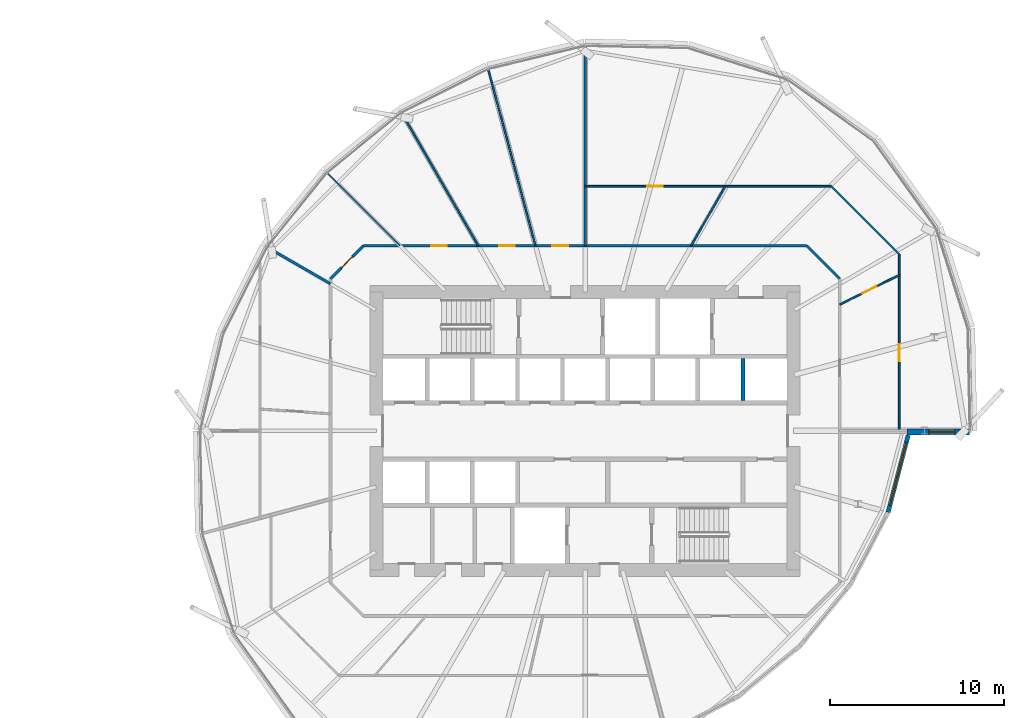
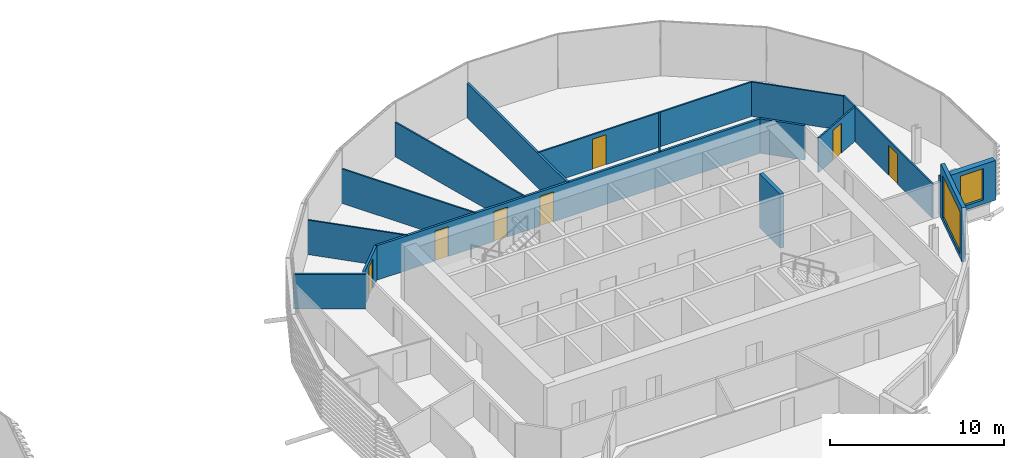
# One storey, part 25 of 39: 16 walls, 7 doors, 2 windows, 9 openings.
"""IFC4 building model written with IfcOpenShell, lengths in metres."""

from ifc_helpers import new_model, si_unit, direction, frame, frame_2d, origin, place, context, subcontext, project, spatial, rectangle, extrude, material, layer, layer_set, type_object, element, fill, save


model = new_model("IFC4")

# Units and contexts
model_context = context("Model", 3, precision=1e-05, world=origin(), true_north=direction((0.0, 1.0)))
body_context = subcontext(model_context, "Body", "Model", "MODEL_VIEW")
ifc_project = project(units=[si_unit("LENGTHUNIT", "METRE"), si_unit("AREAUNIT", "SQUARE_METRE"), si_unit("VOLUMEUNIT", "CUBIC_METRE"), si_unit("PLANEANGLEUNIT", "RADIAN"), si_unit("MASSUNIT", "GRAM", prefix="KILO")], contexts=[model_context])

# Site, building, storey
site_placement = place(None, origin())
site = spatial("IfcSite", under=ifc_project, at=site_placement, CompositionType="ELEMENT")
building_placement = place(site_placement, origin())
building = spatial("IfcBuilding", under=site, at=building_placement, Name="Rimbun Link Towers", CompositionType="ELEMENT")
storey_placement = place(building_placement, frame((0.0, 0.0, 100.60009765625)))
storey = spatial("IfcBuildingStorey", under=building, at=storey_placement, Name="L24", CompositionType="ELEMENT", Elevation=100.60009765625)

# Wall, opening, window
ifc_material_1 = material(Name="Dark enamelled glass spandrel on insulated aluminium backpan", Category="aluminium")
ifc_layer_1 = layer(ifc_material_1, 0.25)
ifc_layer_set_1 = layer_set([ifc_layer_1], Name="CS dark enamelled spandrel wall 250")
wall_type_1 = type_object("IfcWallType", Name="CS dark enamelled spandrel wall 250", PredefinedType="STANDARD", material=ifc_layer_set_1)
wall_1_placement = place(storey_placement, frame((50.343017578125, -0.25, 0.0), z_axis=(0.0, 0.0, 1.0), x_axis=(-0.252335175564, -0.967639891268, 0.0)))
wall_1 = element("IfcWall", 1, at=wall_1_placement, inside=storey, type_object=wall_type_1, Name="Crease spandrel wall", PredefinedType="STANDARD", context=body_context, shape_type="SweptSolid", body=[
    extrude(rectangle(XDim=4.584228515625, YDim=0.25, at=frame_2d((2.2919921875, 0.0))), origin(), (0.0, 0.0, 1.0), 3.7998046875),
])
opening_1_placement = place(wall_1_placement, frame((0.4169921875, 0.0, 0.300048828125)))
opening_1 = element("IfcOpeningElement", 2, at=opening_1_placement, cuts=wall_1, Name="Opening WR38H295", PredefinedType="OPENING", context=body_context, shape_type="SweptSolid", body=[
    extrude(rectangle(XDim=3.75, YDim=2.949951171875, at=frame_2d((1.875, 1.47509765625))), frame((0.0, 0.135009765625, 0.0), z_axis=(0.0, -1.0, 0.0), x_axis=(1.0, 0.0, 0.0)), (0.0, 0.0, 1.0), 0.27001953125),
])
ifc_material_2 = material(Name="Aluminium framed fixed window, dark tinted low-e glass", Category="aluminium")
window_type_1 = type_object("IfcWindowType", Name="WR ribbon window 3750X2950", PartitioningType="SINGLE_PANEL", PredefinedType="WINDOW", material=ifc_material_2)
window_1_placement = place(opening_1_placement, origin())
window_1 = element("IfcWindow", 3, at=window_1_placement, inside=storey, type_object=window_type_1, Name="Crease ribbon window", OverallHeight=2.949951171875, OverallWidth=3.75, PartitioningType="SINGLE_PANEL", PredefinedType="WINDOW", context=body_context, shape_type="SweptSolid", body=[
    extrude(rectangle(XDim=3.75, YDim=2.949951171875, at=frame_2d((1.875, 1.47509765625))), frame((0.0, 0.030029296875, 0.0), z_axis=(0.0, -1.0, 0.0), x_axis=(1.0, 0.0, 0.0)), (0.0, 0.0, 1.0), 0.06005859375),
])
fill(opening_1, window_1)

ifc_material_3 = material(Name="Dark enamelled glass spandrel on insulated aluminium backpan", Category="aluminium")
ifc_layer_2 = layer(ifc_material_3, 0.3701171875)
ifc_layer_set_2 = layer_set([ifc_layer_2], Name="CS dark enamelled spandrel wall 370")
wall_type_2 = type_object("IfcWallType", Name="CS dark enamelled spandrel wall 370", PredefinedType="STANDARD", material=ifc_layer_set_2)
wall_2_placement = place(storey_placement, frame((53.85888671875, -0.06494140625, 0.0), z_axis=(0.0, 0.0, 1.0), x_axis=(-1.0, 0.0, 0.0)))
wall_2 = element("IfcWall", 4, at=wall_2_placement, inside=storey, type_object=wall_type_2, Name="Crease spandrel wall", PredefinedType="STANDARD", context=body_context, shape_type="SweptSolid", body=[
    extrude(rectangle(XDim=3.579833984375, YDim=0.3701171875, at=frame_2d((1.7900390625, 0.0))), origin(), (0.0, 0.0, 1.0), 2.789306640625),
])
opening_2_placement = place(wall_2_placement, frame((0.827392578125, 0.0, 0.300048828125)))
opening_2 = element("IfcOpeningElement", 5, at=opening_2_placement, cuts=wall_2, Name="Opening WR15H220", PredefinedType="OPENING", context=body_context, shape_type="SweptSolid", body=[
    extrude(rectangle(XDim=1.5, YDim=2.199951171875, at=frame_2d((0.75, 1.10009765625))), frame((0.0, 0.195068359375, 0.0), z_axis=(0.0, -1.0, 0.0), x_axis=(1.0, 0.0, 0.0)), (0.0, 0.0, 1.0), 0.39013671875),
])
ifc_material_4 = material(Name="Aluminium framed fixed window, dark tinted low-e glass", Category="aluminium")
window_type_2 = type_object("IfcWindowType", Name="WR ribbon window 1500X2200", PartitioningType="SINGLE_PANEL", PredefinedType="WINDOW", material=ifc_material_4)
window_2_placement = place(opening_2_placement, origin())
window_2 = element("IfcWindow", 6, at=window_2_placement, inside=storey, type_object=window_type_2, Name="Crease ribbon window", OverallHeight=2.199951171875, OverallWidth=1.5, PartitioningType="SINGLE_PANEL", PredefinedType="WINDOW", context=body_context, shape_type="SweptSolid", body=[
    extrude(rectangle(XDim=1.5, YDim=2.199951171875, at=frame_2d((0.75, 1.10009765625))), frame((0.0, 0.030029296875, 0.0), z_axis=(0.0, -1.0, 0.0), x_axis=(1.0, 0.0, 0.0)), (0.0, 0.0, 1.0), 0.06005859375),
])
fill(opening_2, window_2)

# Wall, openings, doors
ifc_material_5 = material(Name="Plasterboard on steel stud, mineral wool", Category="steel")
ifc_layer_3 = layer(ifc_material_5, 0.14990234375)
ifc_layer_set_3 = layer_set([ifc_layer_3], Name="Corridor wall EI 30 150 mm")
wall_type_3 = type_object("IfcWallType", Name="Corridor wall EI 30 150 mm", PredefinedType="PARTITIONING", material=ifc_layer_set_3)
wall_3_placement = place(storey_placement, frame((18.998291015625, 10.64990234375, 0.0), z_axis=(0.0, 0.0, 1.0), x_axis=(1.0, 0.0, 0.0)))
wall_3 = element("IfcWall", 7, at=wall_3_placement, inside=storey, type_object=wall_type_3, Name="Corridor wall EI 30 150 mm", PredefinedType="PARTITIONING", context=body_context, shape_type="SweptSolid", body=[
    extrude(rectangle(XDim=25.50341796875, YDim=0.14990234375, at=frame_2d((12.751708984375, 0.0))), origin(), (0.0, 0.0, 1.0), 2.419921875),
])
opening_3_placement = place(wall_3_placement, frame((10.875, 0.0, 0.0)))
opening_3 = element("IfcOpeningElement", 8, at=opening_3_placement, cuts=wall_3, Name="Opening D02", PredefinedType="OPENING", context=body_context, shape_type="SweptSolid", body=[
    extrude(rectangle(XDim=0.89990234375, YDim=2.10009765625, at=frame_2d((0.449951171875, 1.050048828125))), frame((0.0, 0.0849609375, 0.0), z_axis=(0.0, -1.0, 0.0), x_axis=(1.0, 0.0, 0.0)), (0.0, 0.0, 1.0), 0.169921875),
])
opening_4_placement = place(wall_3_placement, frame((7.800537109375, 0.0, 0.0)))
opening_4 = element("IfcOpeningElement", 9, at=opening_4_placement, cuts=wall_3, Name="Opening D02", PredefinedType="OPENING", context=body_context, shape_type="SweptSolid", body=[
    extrude(rectangle(XDim=0.89990234375, YDim=2.10009765625, at=frame_2d((0.449951171875, 1.050048828125))), frame((0.0, 0.0849609375, 0.0), z_axis=(0.0, -1.0, 0.0), x_axis=(1.0, 0.0, 0.0)), (0.0, 0.0, 1.0), 0.169921875),
])
opening_5_placement = place(wall_3_placement, frame((3.90234375, 0.0, 0.0)))
opening_5 = element("IfcOpeningElement", 10, at=opening_5_placement, cuts=wall_3, Name="Opening D02", PredefinedType="OPENING", context=body_context, shape_type="SweptSolid", body=[
    extrude(rectangle(XDim=0.89990234375, YDim=2.10009765625, at=frame_2d((0.449951171875, 1.050048828125))), frame((0.0, 0.0849609375, 0.0), z_axis=(0.0, -1.0, 0.0), x_axis=(1.0, 0.0, 0.0)), (0.0, 0.0, 1.0), 0.169921875),
])
ifc_material_6 = material(Name="Fire-resisting timber door leaf", Category="wood")
door_type_1 = type_object("IfcDoorType", Name="Fire door FD30S 900", OperationType="NOTDEFINED", PredefinedType="DOOR", material=ifc_material_6)
door_1_placement = place(opening_3_placement, origin())
door_1 = element("IfcDoor", 11, at=door_1_placement, inside=storey, type_object=door_type_1, Name="Fire door FD30S 900 to Cellular office", OperationType="SINGLE_SWING_RIGHT", OverallHeight=2.10009765625, OverallWidth=0.89990234375, PredefinedType="DOOR", context=body_context, shape_type="SweptSolid", body=[
    extrude(rectangle(XDim=0.89990234375, YDim=2.10009765625, at=frame_2d((0.449951171875, 1.050048828125))), frame((0.0, 0.02490234375, 0.0), z_axis=(0.0, -1.0, 0.0), x_axis=(1.0, 0.0, 0.0)), (0.0, 0.0, 1.0), 0.050048828125),
])
fill(opening_3, door_1)
door_2_placement = place(opening_4_placement, origin())
door_2 = element("IfcDoor", 12, at=door_2_placement, inside=storey, type_object=door_type_1, Name="Fire door FD30S 900 to Cellular office", OperationType="SINGLE_SWING_LEFT", OverallHeight=2.10009765625, OverallWidth=0.89990234375, PredefinedType="DOOR", context=body_context, shape_type="SweptSolid", body=[
    extrude(rectangle(XDim=0.89990234375, YDim=2.10009765625, at=frame_2d((0.449951171875, 1.050048828125))), frame((0.0, 0.02490234375, 0.0), z_axis=(0.0, -1.0, 0.0), x_axis=(1.0, 0.0, 0.0)), (0.0, 0.0, 1.0), 0.050048828125),
])
fill(opening_4, door_2)
door_3_placement = place(opening_5_placement, origin())
door_3 = element("IfcDoor", 13, at=door_3_placement, inside=storey, type_object=door_type_1, Name="Fire door FD30S 900 to Cellular office", OperationType="SINGLE_SWING_RIGHT", OverallHeight=2.10009765625, OverallWidth=0.89990234375, PredefinedType="DOOR", context=body_context, shape_type="SweptSolid", body=[
    extrude(rectangle(XDim=0.89990234375, YDim=2.10009765625, at=frame_2d((0.449951171875, 1.050048828125))), frame((0.0, 0.02490234375, 0.0), z_axis=(0.0, -1.0, 0.0), x_axis=(1.0, 0.0, 0.0)), (0.0, 0.0, 1.0), 0.050048828125),
])
fill(opening_5, door_3)

# Wall
wall_4_placement = place(storey_placement, frame((46.39990234375, 8.751708984375, 0.0), z_axis=(0.0, 0.0, 1.0), x_axis=(-0.707106781187, 0.707106781187, 0.0)))
element("IfcWall", 14, at=wall_4_placement, inside=storey, type_object=wall_type_3, Name="Corridor wall EI 30 150 mm", PredefinedType="PARTITIONING", context=body_context, shape_type="SweptSolid", body=[
    extrude(rectangle(XDim=2.6845703125, YDim=0.14990234375, at=frame_2d((1.34228515625, 0.0))), origin(), (0.0, 0.0, 1.0), 2.419921875),
])

# Wall, opening, door
wall_5_placement = place(storey_placement, frame((17.10009765625, 8.751708984375, 0.0), z_axis=(0.0, 0.0, 1.0), x_axis=(0.707106781187, 0.707106781187, 0.0)))
wall_5 = element("IfcWall", 15, at=wall_5_placement, inside=storey, type_object=wall_type_3, Name="Corridor wall EI 30 150 mm", PredefinedType="PARTITIONING", context=body_context, shape_type="SweptSolid", body=[
    extrude(rectangle(XDim=2.6845703125, YDim=0.14990234375, at=frame_2d((1.34228515625, 0.0))), origin(), (0.0, 0.0, 1.0), 2.419921875),
])
opening_6_placement = place(wall_5_placement, frame((0.892333984375, 0.0, 0.0)))
opening_6 = element("IfcOpeningElement", 16, at=opening_6_placement, cuts=wall_5, Name="Opening D02", PredefinedType="OPENING", context=body_context, shape_type="SweptSolid", body=[
    extrude(rectangle(XDim=0.89990234375, YDim=2.10009765625, at=frame_2d((0.449951171875, 1.050048828125))), frame((0.0, 0.0849609375, 0.0), z_axis=(0.0, -1.0, 0.0), x_axis=(1.0, 0.0, 0.0)), (0.0, 0.0, 1.0), 0.169921875),
])
door_4_placement = place(opening_6_placement, origin())
door_4 = element("IfcDoor", 17, at=door_4_placement, inside=storey, type_object=door_type_1, Name="Fire door FD30S 900 to Meeting room", OperationType="SINGLE_SWING_LEFT", OverallHeight=2.10009765625, OverallWidth=0.89990234375, PredefinedType="DOOR", context=body_context, shape_type="SweptSolid", body=[
    extrude(rectangle(XDim=0.89990234375, YDim=2.10009765625, at=frame_2d((0.449951171875, 1.050048828125))), frame((0.0, 0.02490234375, 0.0), z_axis=(0.0, -1.0, 0.0), x_axis=(1.0, 0.0, 0.0)), (0.0, 0.0, 1.0), 0.050048828125),
])
fill(opening_6, door_4)

ifc_material_7 = material(Name="Plasterboard on steel stud", Category="steel")
ifc_layer_4 = layer(ifc_material_7, 0.10009765625)
ifc_layer_set_4 = layer_set([ifc_layer_4], Name="Plasterboard partition 100 mm")
wall_type_4 = type_object("IfcWallType", Name="Plasterboard partition 100 mm", PredefinedType="PARTITIONING", material=ifc_layer_set_4)
wall_6_placement = place(storey_placement, frame((46.39990234375, 7.265380859375, 0.0), z_axis=(0.0, 0.0, 1.0), x_axis=(0.895918685322, 0.444218087533, 0.0)))
wall_6 = element("IfcWall", 18, at=wall_6_placement, inside=storey, type_object=wall_type_4, Name="Plasterboard partition 100 mm", PredefinedType="PARTITIONING", context=body_context, shape_type="SweptSolid", body=[
    extrude(rectangle(XDim=3.8173828125, YDim=0.10009765625, at=frame_2d((1.90869140625, 0.0))), origin(), (0.0, 0.0, 1.0), 2.419921875),
])
opening_7_placement = place(wall_6_placement, frame((1.458740234375, 0.0, 0.0)))
opening_7 = element("IfcOpeningElement", 19, at=opening_7_placement, cuts=wall_6, Name="Opening D04", PredefinedType="OPENING", context=body_context, shape_type="SweptSolid", body=[
    extrude(rectangle(XDim=0.89990234375, YDim=2.10009765625, at=frame_2d((0.449951171875, 1.050048828125))), frame((0.0, 0.06005859375, 0.0), z_axis=(0.0, -1.0, 0.0), x_axis=(1.0, 0.0, 0.0)), (0.0, 0.0, 1.0), 0.1201171875),
])
ifc_material_8 = material(Name="Timber door leaf", Category="wood")
door_type_2 = type_object("IfcDoorType", Name="Flush door 900", OperationType="NOTDEFINED", PredefinedType="DOOR", material=ifc_material_8)
door_5_placement = place(opening_7_placement, origin())
door_5 = element("IfcDoor", 20, at=door_5_placement, inside=storey, type_object=door_type_2, Name="Flush door 900 to Meeting room", OperationType="SINGLE_SWING_LEFT", OverallHeight=2.10009765625, OverallWidth=0.89990234375, PredefinedType="DOOR", context=body_context, shape_type="SweptSolid", body=[
    extrude(rectangle(XDim=0.89990234375, YDim=2.10009765625, at=frame_2d((0.449951171875, 1.050048828125))), frame((0.0, 0.02490234375, 0.0), z_axis=(0.0, -1.0, 0.0), x_axis=(1.0, 0.0, 0.0)), (0.0, 0.0, 1.0), 0.050048828125),
])
fill(opening_7, door_5)

wall_7_placement = place(storey_placement, frame((49.820068359375, 10.168212890625, 0.0), z_axis=(0.0, 0.0, 1.0), x_axis=(0.0, -1.0, 0.0)))
wall_7 = element("IfcWall", 21, at=wall_7_placement, inside=storey, type_object=wall_type_4, Name="Plasterboard partition 100 mm", PredefinedType="PARTITIONING", context=body_context, shape_type="SweptSolid", body=[
    extrude(rectangle(XDim=10.168212890625, YDim=0.10009765625, at=frame_2d((5.083984375, 0.0))), origin(), (0.0, 0.0, 1.0), 2.419921875),
])
opening_8_placement = place(wall_7_placement, frame((5.172607421875, 0.0, 0.0)))
opening_8 = element("IfcOpeningElement", 22, at=opening_8_placement, cuts=wall_7, Name="Opening D03", PredefinedType="OPENING", context=body_context, shape_type="SweptSolid", body=[
    extrude(rectangle(XDim=1.0, YDim=2.10009765625, at=frame_2d((0.5, 1.050048828125))), frame((0.0, 0.06005859375, 0.0), z_axis=(0.0, -1.0, 0.0), x_axis=(1.0, 0.0, 0.0)), (0.0, 0.0, 1.0), 0.1201171875),
])
ifc_material_9 = material(Name="Timber door leaf", Category="wood")
door_type_3 = type_object("IfcDoorType", Name="Flush door 1000", OperationType="NOTDEFINED", PredefinedType="DOOR", material=ifc_material_9)
door_6_placement = place(opening_8_placement, origin())
door_6 = element("IfcDoor", 23, at=door_6_placement, inside=storey, type_object=door_type_3, Name="Flush door 1000 to Open office", OperationType="SINGLE_SWING_RIGHT", OverallHeight=2.10009765625, OverallWidth=1.0, PredefinedType="DOOR", context=body_context, shape_type="SweptSolid", body=[
    extrude(rectangle(XDim=1.0, YDim=2.10009765625, at=frame_2d((0.5, 1.050048828125))), frame((0.0, 0.02490234375, 0.0), z_axis=(0.0, -1.0, 0.0), x_axis=(1.0, 0.0, 0.0)), (0.0, 0.0, 1.0), 0.050048828125),
])
fill(opening_8, door_6)

# Wall
wall_8_placement = place(storey_placement, frame((39.81201171875, 14.070068359375, 0.0), z_axis=(0.0, 0.0, 1.0), x_axis=(-0.497159107965, -0.867659392485, 0.0)))
element("IfcWall", 24, at=wall_8_placement, inside=storey, type_object=wall_type_4, Name="Plasterboard partition 100 mm", PredefinedType="PARTITIONING", context=body_context, shape_type="SweptSolid", body=[
    extrude(rectangle(XDim=3.94189453125, YDim=0.10009765625, at=frame_2d((1.970947265625, 0.0))), origin(), (0.0, 0.0, 1.0), 2.419921875),
])

# Wall, opening, door
wall_9_placement = place(storey_placement, frame((45.918212890625, 14.070068359375, 0.0), z_axis=(0.0, 0.0, 1.0), x_axis=(-1.0, 0.0, 0.0)))
wall_9 = element("IfcWall", 25, at=wall_9_placement, inside=storey, type_object=wall_type_4, Name="Plasterboard partition 100 mm", PredefinedType="PARTITIONING", context=body_context, shape_type="SweptSolid", body=[
    extrude(rectangle(XDim=14.168212890625, YDim=0.10009765625, at=frame_2d((7.083984375, 0.0))), origin(), (0.0, 0.0, 1.0), 2.419921875),
])
opening_9_placement = place(wall_9_placement, frame((9.687255859375, 0.0, 0.0)))
opening_9 = element("IfcOpeningElement", 26, at=opening_9_placement, cuts=wall_9, Name="Opening D04", PredefinedType="OPENING", context=body_context, shape_type="SweptSolid", body=[
    extrude(rectangle(XDim=0.89990234375, YDim=2.10009765625, at=frame_2d((0.449951171875, 1.050048828125))), frame((0.0, 0.06005859375, 0.0), z_axis=(0.0, -1.0, 0.0), x_axis=(1.0, 0.0, 0.0)), (0.0, 0.0, 1.0), 0.1201171875),
])
door_7_placement = place(opening_9_placement, origin())
door_7 = element("IfcDoor", 27, at=door_7_placement, inside=storey, type_object=door_type_2, Name="Flush door 900 to Print room", OperationType="SINGLE_SWING_RIGHT", OverallHeight=2.10009765625, OverallWidth=0.89990234375, PredefinedType="DOOR", context=body_context, shape_type="SweptSolid", body=[
    extrude(rectangle(XDim=0.89990234375, YDim=2.10009765625, at=frame_2d((0.449951171875, 1.050048828125))), frame((0.0, 0.02490234375, 0.0), z_axis=(0.0, -1.0, 0.0), x_axis=(1.0, 0.0, 0.0)), (0.0, 0.0, 1.0), 0.050048828125),
])
fill(opening_9, door_7)

# Walls
wall_10_placement = place(storey_placement, frame((49.820068359375, 10.168212890625, 0.0), z_axis=(0.0, 0.0, 1.0), x_axis=(-0.707106781187, 0.707106781187, 0.0)))
element("IfcWall", 28, at=wall_10_placement, inside=storey, type_object=wall_type_4, Name="Plasterboard partition 100 mm", PredefinedType="PARTITIONING", context=body_context, shape_type="SweptSolid", body=[
    extrude(rectangle(XDim=5.51806640625, YDim=0.10009765625, at=frame_2d((2.759033203125, 0.0))), origin(), (0.0, 0.0, 1.0), 2.419921875),
])
wall_11_placement = place(storey_placement, frame((26.177490234375, 20.79638671875, 0.0), z_axis=(0.0, 0.0, 1.0), x_axis=(0.258819729531, -0.965925642897, 0.0)))
element("IfcWall", 29, at=wall_11_placement, inside=storey, type_object=wall_type_4, Name="Plasterboard partition 100 mm", PredefinedType="PARTITIONING", context=body_context, shape_type="SweptSolid", body=[
    extrude(rectangle(XDim=10.50439453125, YDim=0.10009765625, at=frame_2d((5.252197265625, 0.0))), origin(), (0.0, 0.0, 1.0), 2.419921875),
])
wall_12_placement = place(storey_placement, frame((21.189453125, 18.291259765625, 0.0), z_axis=(0.0, 0.0, 1.0), x_axis=(0.500010664886, -0.866019246322, 0.0)))
element("IfcWall", 30, at=wall_12_placement, inside=storey, type_object=wall_type_4, Name="Plasterboard partition 100 mm", PredefinedType="PARTITIONING", context=body_context, shape_type="SweptSolid", body=[
    extrude(rectangle(XDim=8.823486328125, YDim=0.10009765625, at=frame_2d((4.41162109375, 0.0))), origin(), (0.0, 0.0, 1.0), 2.419921875),
])
wall_13_placement = place(storey_placement, frame((16.9169921875, 14.8330078125, 0.0), z_axis=(0.0, 0.0, 1.0), x_axis=(0.707106781187, -0.707106781187, 0.0)))
element("IfcWall", 31, at=wall_13_placement, inside=storey, type_object=wall_type_4, Name="Plasterboard partition 100 mm", PredefinedType="PARTITIONING", context=body_context, shape_type="SweptSolid", body=[
    extrude(rectangle(XDim=5.915771484375, YDim=0.10009765625, at=frame_2d((2.9580078125, 0.0))), origin(), (0.0, 0.0, 1.0), 2.419921875),
])
ifc_material_10 = material(Name="Concrete C60/75", Category="concrete")
ifc_layer_5 = layer(ifc_material_10, 0.25)
ifc_layer_set_5 = layer_set([ifc_layer_5], Name="Shaft wall 250")
wall_type_5 = type_object("IfcWallType", Name="Shaft wall 250", PredefinedType="SHEAR", material=ifc_layer_set_5)
wall_14_placement = place(storey_placement, frame((40.83056640625, 1.75, 0.0), z_axis=(0.0, 0.0, 1.0), x_axis=(0.0, 1.0, 0.0)))
element("IfcWall", 32, at=wall_14_placement, inside=storey, type_object=wall_type_5, Name="L24 T2 core wall DN7", PredefinedType="SHEAR", context=body_context, shape_type="SweptSolid", body=[
    extrude(rectangle(XDim=2.39990234375, YDim=0.25, at=frame_2d((1.199951171875, 0.0))), origin(), (0.0, 0.0, 1.0), 3.7998046875),
])
ifc_material_11 = material(Name="Plasterboard on steel stud, mineral wool", Category="steel")
ifc_layer_6 = layer(ifc_material_11, 0.14990234375)
ifc_layer_set_6 = layer_set([ifc_layer_6], Name="Tenancy separation wall EI 60 150 mm")
wall_type_6 = type_object("IfcWallType", Name="Tenancy separation wall EI 60 150 mm", PredefinedType="PARTITIONING", material=ifc_layer_set_6)
wall_15_placement = place(storey_placement, frame((31.75, 10.64990234375, 0.0), z_axis=(0.0, 0.0, 1.0), x_axis=(0.0, 1.0, 0.0)))
element("IfcWall", 33, at=wall_15_placement, inside=storey, type_object=wall_type_6, Name="Tenancy separation wall EI 60 150 mm", PredefinedType="PARTITIONING", context=body_context, shape_type="SweptSolid", body=[
    extrude(rectangle(XDim=11.47900390625, YDim=0.14990234375, at=frame_2d((5.739501953125, 0.0))), origin(), (0.0, 0.0, 1.0), 2.419921875),
])
wall_16_placement = place(storey_placement, frame((17.10009765625, 8.458251953125, 0.0), z_axis=(0.0, 0.0, 1.0), x_axis=(-0.866029910937, 0.499992193301, 0.0)))
element("IfcWall", 34, at=wall_16_placement, inside=storey, type_object=wall_type_6, Name="Tenancy separation wall EI 60 150 mm", PredefinedType="PARTITIONING", context=body_context, shape_type="SweptSolid", body=[
    extrude(rectangle(XDim=4.20458984375, YDim=0.14990234375, at=frame_2d((2.102294921875, 0.0))), origin(), (0.0, 0.0, 1.0), 2.419921875),
])

save(model, "model.ifc")
